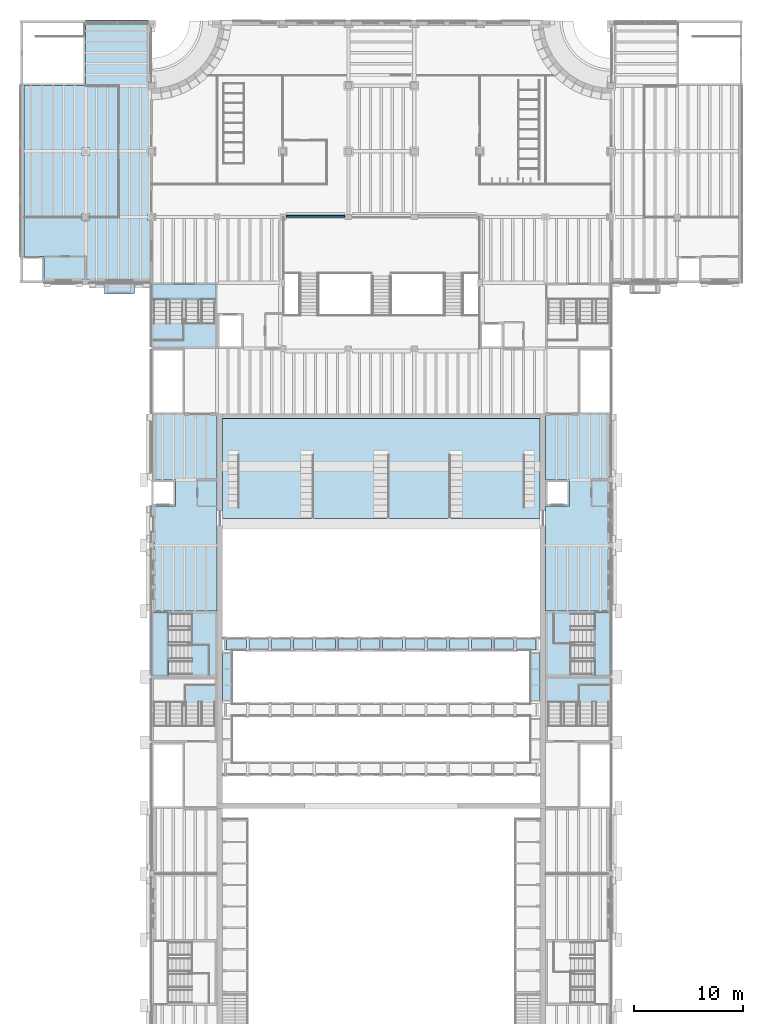
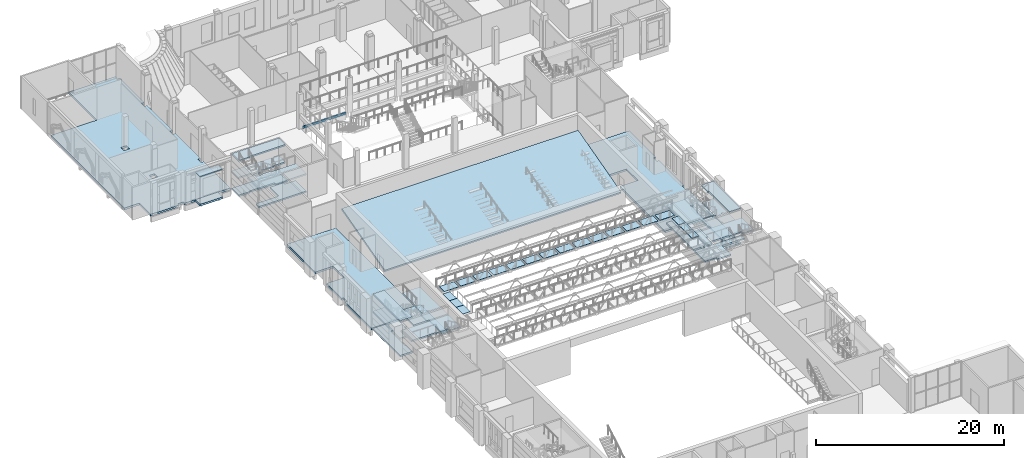
# One storey, part 20 of 70: 44 slabs, 1 plate, 5 elements without a shape of their own.
"""IFC4 building model written with IfcOpenShell, lengths in metres."""

from ifc_helpers import new_model, si_unit, direction, frame, origin, place, context, subcontext, project, spatial, polyline, outline, extrude, material, layer, layer_set, type_object, element, aggregate, save


model = new_model("IFC4")

# Units and contexts
model_context = context("Model", 3, precision=1e-05, world=origin(), true_north=direction((0.0, 1.0)))
body_context = subcontext(model_context, "Body", "Model", "MODEL_VIEW")
ifc_project = project(units=[si_unit("LENGTHUNIT", "METRE"), si_unit("AREAUNIT", "SQUARE_METRE"), si_unit("VOLUMEUNIT", "CUBIC_METRE"), si_unit("PLANEANGLEUNIT", "RADIAN"), si_unit("MASSUNIT", "GRAM", prefix="KILO")], contexts=[model_context])

# Site, building, storey
site_placement = place(None, origin())
site = spatial("IfcSite", under=ifc_project, at=site_placement, CompositionType="ELEMENT")
building_placement = place(site_placement, origin())
building = spatial("IfcBuilding", under=site, at=building_placement, Name="Saffron Lane Theatres", CompositionType="ELEMENT")
storey_placement = place(building_placement, frame((0.0, 0.0, 12.0)))
storey = spatial("IfcBuildingStorey", under=building, at=storey_placement, Name="L02", CompositionType="ELEMENT", Elevation=12.0)

# Plate
ifc_material_1 = material(Name="Zinc sheet", Category="metal")
ifc_layer_1 = layer(ifc_material_1, 0.1201171875)
ifc_layer_set_1 = layer_set([ifc_layer_1], Name="Zinc sheet")
plate_type = type_object("IfcPlateType", Name="EX-CUMBA ROOF PANEL 120", PredefinedType="SHEET", material=ifc_layer_set_1)
plate_placement = place(storey_placement, frame((0.0, 0.0, 3.5)))
element("IfcPlate", 1, at=plate_placement, inside=storey, type_object=plate_type, Name="Cumba bay 3 roof", PredefinedType="SHEET", context=body_context, shape_type="SweptSolid", body=[
    extrude(outline(polyline([(10.47509765625, 102.0), (7.675048828125, 102.0), (7.675048828125, 101.0), (10.47509765625, 101.0), (10.47509765625, 102.0)])), origin(), (0.0, 0.0, 1.0), 0.1201171875),
])

# Slabs
ifc_material_2 = material(Name="Concrete N40 (40 MPa)", Category="concrete")
ifc_layer_2 = layer(ifc_material_2, 0.25)
ifc_layer_set_2 = layer_set([ifc_layer_2], Name="Concrete N40 (40 MPa)")
slab_type_1 = type_object("IfcSlabType", Name="EX-CUMBA SLAB 250", PredefinedType="FLOOR", material=ifc_layer_set_2)
slab_1_placement = place(storey_placement, frame((0.0, 0.0, -0.25)))
element("IfcSlab", 2, at=slab_1_placement, inside=storey, type_object=slab_type_1, Name="Cumba bay 3 floor", PredefinedType="FLOOR", context=body_context, shape_type="SweptSolid", body=[
    extrude(outline(polyline([(10.47509765625, 102.0), (7.675048828125, 102.0), (7.675048828125, 101.0), (10.47509765625, 101.0), (10.47509765625, 102.0)])), origin(), (0.0, 0.0, 1.0), 0.25),
])
ifc_material_3 = material(Name="Concrete N40 (40 MPa)", Category="concrete")
ifc_layer_3 = layer(ifc_material_3, 0.25)
ifc_layer_set_3 = layer_set([ifc_layer_3], Name="Concrete N40 (40 MPa)")
slab_type_2 = type_object("IfcSlabType", Name="RC-SLAB FLOOR 250", PredefinedType="FLOOR", material=ifc_layer_set_3)
slab_2_placement = place(storey_placement, frame((0.0, 0.0, -0.25)))
element("IfcSlab", 3, at=slab_2_placement, inside=storey, type_object=slab_type_2, Name="slab-L02-AUD-3", PredefinedType="FLOOR", context=body_context, shape_type="SweptSolid", body=[
    extrude(outline(polyline([(18.0, 72.0), (18.0, 90.0), (15.0, 90.0), (12.0, 90.0), (12.0, 84.0), (14.199951171875, 84.0), (14.199951171875, 81.60009765625), (12.0, 81.60009765625), (12.0, 78.35205078125), (12.251953125, 78.35205078125), (12.251953125, 77.64794921875), (12.0, 77.64794921875), (12.0, 72.0), (18.0, 72.0)])), origin(), (0.0, 0.0, 1.0), 0.25),
])
slab_3_placement = place(storey_placement, frame((0.0, 0.0, -0.25)))
element("IfcSlab", 4, at=slab_3_placement, inside=storey, type_object=slab_type_2, Name="slab-L02-AUD-4", PredefinedType="FLOOR", context=body_context, shape_type="SweptSolid", body=[
    extrude(outline(polyline([(48.0, 72.0), (54.0, 72.0), (54.0, 77.64794921875), (53.748046875, 77.64794921875), (53.748046875, 78.35205078125), (54.0, 78.35205078125), (54.0, 83.64794921875), (53.748046875, 83.64794921875), (53.748046875, 84.35205078125), (54.0, 84.35205078125), (54.0, 90.0), (51.0, 90.0), (48.0, 90.0), (48.0, 84.0), (50.199951171875, 84.0), (50.199951171875, 81.60009765625), (48.0, 81.60009765625), (48.0, 72.0)])), origin(), (0.0, 0.0, 1.0), 0.25),
])
slab_4_placement = place(storey_placement, frame((0.0, 0.0, -0.25)))
element("IfcSlab", 5, at=slab_4_placement, inside=storey, type_object=slab_type_2, Name="slab-L02-BRICK-2", PredefinedType="FLOOR", context=body_context, shape_type="SweptSolid", body=[
    extrude(outline(polyline([(24.302001953125, 108.0), (29.64794921875, 108.0), (29.64794921875, 108.14990234375), (24.302001953125, 108.14990234375), (24.302001953125, 108.0)])), origin(), (0.0, 0.0, 1.0), 0.25),
])
slab_5_placement = place(storey_placement, frame((0.0, 0.0, -0.25)))
element("IfcSlab", 6, at=slab_5_placement, inside=storey, type_object=slab_type_2, Name="slab-L02-WING_W", PredefinedType="FLOOR", context=body_context, shape_type="SweptSolid", body=[
    extrude(outline(polyline([(6.35205078125, 102.0), (12.0, 102.0), (12.0, 107.673095703125), (11.673095703125, 107.673095703125), (11.673095703125, 108.326904296875), (12.0, 108.326904296875), (12.0, 113.673095703125), (11.673095703125, 113.673095703125), (11.673095703125, 114.326904296875), (12.0, 114.326904296875), (12.0, 119.142578125), (12.0, 119.673095703125), (11.673095703125, 119.673095703125), (11.673095703125, 120.326904296875), (12.0, 120.326904296875), (12.0, 125.49755859375), (11.748046875, 125.49755859375), (11.748046875, 125.99951171875), (6.0, 125.99951171875), (6.0, 120.0), (0.360107421875, 120.0), (0.360107421875, 104.39990234375), (2.199951171875, 104.39990234375), (2.199951171875, 102.0), (5.64794921875, 102.0), (5.64794921875, 102.251953125), (6.35205078125, 102.251953125), (6.35205078125, 102.0)]), holes=[polyline([(5.673095703125, 107.673095703125), (5.673095703125, 108.326904296875), (6.326904296875, 108.326904296875), (6.326904296875, 107.673095703125), (5.673095703125, 107.673095703125)]), polyline([(5.673095703125, 113.673095703125), (5.673095703125, 114.326904296875), (6.326904296875, 114.326904296875), (6.326904296875, 113.673095703125), (5.673095703125, 113.673095703125)])]), origin(), (0.0, 0.0, 1.0), 0.25),
])
ifc_material_4 = material(Name="Concrete N40 (40 MPa)", Category="concrete")
ifc_layer_4 = layer(ifc_material_4, 0.25)
ifc_layer_set_4 = layer_set([ifc_layer_4], Name="Concrete N40 (40 MPa)")
slab_type_3 = type_object("IfcSlabType", Name="RC-SLAB TIER 250", PredefinedType="NOTDEFINED", material=ifc_layer_set_4)
slab_6_placement = place(storey_placement, frame((18.5, 80.449951171875, 0.12158203125), z_axis=(0.0, -0.260657929311, 0.965431221728), x_axis=(1.0, 0.0, 0.0)))
element("IfcSlab", 7, at=slab_6_placement, inside=storey, type_object=slab_type_3, Name="Dress Circle Deck", ObjectType="SEATING TIER", PredefinedType="NOTDEFINED", context=body_context, shape_type="SweptSolid", body=[
    extrude(outline(polyline([(0.0, 0.0), (29.0, 0.0), (29.0, 9.477781822715658), (0.0, 9.477781822715658), (0.0, 0.0)])), origin(), (0.0, 0.0, -1.0), 0.25),
])
ifc_material_5 = material(Name="Steel Grade 350 grating", Category="steel")
ifc_layer_5 = layer(ifc_material_5, 0.0400390625)
ifc_layer_set_5 = layer_set([ifc_layer_5], Name="Steel Grade 350 grating")
slab_type_4 = type_object("IfcSlabType", Name="ST-BRIDGE DECK", PredefinedType="USERDEFINED", material=ifc_layer_set_5)
slab_7_placement = place(storey_placement, frame((0.0, 0.0, 4.4599609375)))
element("IfcSlab", 8, at=slab_7_placement, inside=storey, type_object=slab_type_4, Name="LW3-1", ObjectType="GALLERY", PredefinedType="USERDEFINED", context=body_context, shape_type="SweptSolid", body=[
    extrude(outline(polyline([(18.861572265625, 68.449951171875), (20.67431640625, 68.449951171875), (20.67431640625, 69.550048828125), (18.861572265625, 69.550048828125), (18.861572265625, 68.449951171875)])), origin(), (0.0, 0.0, 1.0), 0.0400390625),
])
slab_8_placement = place(storey_placement, frame((0.0, 0.0, 4.4599609375)))
element("IfcSlab", 9, at=slab_8_placement, inside=storey, type_object=slab_type_4, Name="LW3-2", ObjectType="GALLERY", PredefinedType="USERDEFINED", context=body_context, shape_type="SweptSolid", body=[
    extrude(outline(polyline([(20.897216796875, 68.449951171875), (22.7099609375, 68.449951171875), (22.7099609375, 69.550048828125), (20.897216796875, 69.550048828125), (20.897216796875, 68.449951171875)])), origin(), (0.0, 0.0, 1.0), 0.0400390625),
])
slab_9_placement = place(storey_placement, frame((0.0, 0.0, 4.4599609375)))
element("IfcSlab", 10, at=slab_9_placement, inside=storey, type_object=slab_type_4, Name="LW3-3", ObjectType="GALLERY", PredefinedType="USERDEFINED", context=body_context, shape_type="SweptSolid", body=[
    extrude(outline(polyline([(22.932861328125, 68.449951171875), (24.74560546875, 68.449951171875), (24.74560546875, 69.550048828125), (22.932861328125, 69.550048828125), (22.932861328125, 68.449951171875)])), origin(), (0.0, 0.0, 1.0), 0.0400390625),
])
slab_10_placement = place(storey_placement, frame((0.0, 0.0, 4.4599609375)))
element("IfcSlab", 11, at=slab_10_placement, inside=storey, type_object=slab_type_4, Name="LW3-4", ObjectType="GALLERY", PredefinedType="USERDEFINED", context=body_context, shape_type="SweptSolid", body=[
    extrude(outline(polyline([(24.96875, 68.449951171875), (26.78125, 68.449951171875), (26.78125, 69.550048828125), (24.96875, 69.550048828125), (24.96875, 68.449951171875)])), origin(), (0.0, 0.0, 1.0), 0.0400390625),
])
slab_11_placement = place(storey_placement, frame((0.0, 0.0, 4.4599609375)))
element("IfcSlab", 12, at=slab_11_placement, inside=storey, type_object=slab_type_4, Name="LW3-5", ObjectType="GALLERY", PredefinedType="USERDEFINED", context=body_context, shape_type="SweptSolid", body=[
    extrude(outline(polyline([(27.00439453125, 68.449951171875), (28.817138671875, 68.449951171875), (28.817138671875, 69.550048828125), (27.00439453125, 69.550048828125), (27.00439453125, 68.449951171875)])), origin(), (0.0, 0.0, 1.0), 0.0400390625),
])
slab_12_placement = place(storey_placement, frame((0.0, 0.0, 4.4599609375)))
element("IfcSlab", 13, at=slab_12_placement, inside=storey, type_object=slab_type_4, Name="LW3-6", ObjectType="GALLERY", PredefinedType="USERDEFINED", context=body_context, shape_type="SweptSolid", body=[
    extrude(outline(polyline([(29.0400390625, 68.449951171875), (30.852783203125, 68.449951171875), (30.852783203125, 69.550048828125), (29.0400390625, 69.550048828125), (29.0400390625, 68.449951171875)])), origin(), (0.0, 0.0, 1.0), 0.0400390625),
])
slab_13_placement = place(storey_placement, frame((0.0, 0.0, 4.4599609375)))
element("IfcSlab", 14, at=slab_13_placement, inside=storey, type_object=slab_type_4, Name="LW3-7", ObjectType="GALLERY", PredefinedType="USERDEFINED", context=body_context, shape_type="SweptSolid", body=[
    extrude(outline(polyline([(31.07568359375, 68.449951171875), (32.888427734375, 68.449951171875), (32.888427734375, 69.550048828125), (31.07568359375, 69.550048828125), (31.07568359375, 68.449951171875)])), origin(), (0.0, 0.0, 1.0), 0.0400390625),
])
slab_14_placement = place(storey_placement, frame((0.0, 0.0, 4.4599609375)))
element("IfcSlab", 15, at=slab_14_placement, inside=storey, type_object=slab_type_4, Name="LW3-8", ObjectType="GALLERY", PredefinedType="USERDEFINED", context=body_context, shape_type="SweptSolid", body=[
    extrude(outline(polyline([(33.111572265625, 68.449951171875), (34.92431640625, 68.449951171875), (34.92431640625, 69.550048828125), (33.111572265625, 69.550048828125), (33.111572265625, 68.449951171875)])), origin(), (0.0, 0.0, 1.0), 0.0400390625),
])
slab_15_placement = place(storey_placement, frame((0.0, 0.0, 4.4599609375)))
element("IfcSlab", 16, at=slab_15_placement, inside=storey, type_object=slab_type_4, Name="LW3-9", ObjectType="GALLERY", PredefinedType="USERDEFINED", context=body_context, shape_type="SweptSolid", body=[
    extrude(outline(polyline([(35.147216796875, 68.449951171875), (36.9599609375, 68.449951171875), (36.9599609375, 69.550048828125), (35.147216796875, 69.550048828125), (35.147216796875, 68.449951171875)])), origin(), (0.0, 0.0, 1.0), 0.0400390625),
])
slab_16_placement = place(storey_placement, frame((0.0, 0.0, 4.4599609375)))
element("IfcSlab", 17, at=slab_16_placement, inside=storey, type_object=slab_type_4, Name="LW3-10", ObjectType="GALLERY", PredefinedType="USERDEFINED", context=body_context, shape_type="SweptSolid", body=[
    extrude(outline(polyline([(37.182861328125, 68.449951171875), (38.99560546875, 68.449951171875), (38.99560546875, 69.550048828125), (37.182861328125, 69.550048828125), (37.182861328125, 68.449951171875)])), origin(), (0.0, 0.0, 1.0), 0.0400390625),
])
slab_17_placement = place(storey_placement, frame((0.0, 0.0, 4.4599609375)))
element("IfcSlab", 18, at=slab_17_placement, inside=storey, type_object=slab_type_4, Name="LW3-11", ObjectType="GALLERY", PredefinedType="USERDEFINED", context=body_context, shape_type="SweptSolid", body=[
    extrude(outline(polyline([(39.21875, 68.449951171875), (41.03125, 68.449951171875), (41.03125, 69.550048828125), (39.21875, 69.550048828125), (39.21875, 68.449951171875)])), origin(), (0.0, 0.0, 1.0), 0.0400390625),
])
slab_18_placement = place(storey_placement, frame((0.0, 0.0, 4.4599609375)))
element("IfcSlab", 19, at=slab_18_placement, inside=storey, type_object=slab_type_4, Name="LW3-12", ObjectType="GALLERY", PredefinedType="USERDEFINED", context=body_context, shape_type="SweptSolid", body=[
    extrude(outline(polyline([(41.25439453125, 68.449951171875), (43.067138671875, 68.449951171875), (43.067138671875, 69.550048828125), (41.25439453125, 69.550048828125), (41.25439453125, 68.449951171875)])), origin(), (0.0, 0.0, 1.0), 0.0400390625),
])
slab_19_placement = place(storey_placement, frame((0.0, 0.0, 4.4599609375)))
element("IfcSlab", 20, at=slab_19_placement, inside=storey, type_object=slab_type_4, Name="LW3-13", ObjectType="GALLERY", PredefinedType="USERDEFINED", context=body_context, shape_type="SweptSolid", body=[
    extrude(outline(polyline([(43.2900390625, 68.449951171875), (45.102783203125, 68.449951171875), (45.102783203125, 69.550048828125), (43.2900390625, 69.550048828125), (43.2900390625, 68.449951171875)])), origin(), (0.0, 0.0, 1.0), 0.0400390625),
])
slab_20_placement = place(storey_placement, frame((0.0, 0.0, 4.4599609375)))
element("IfcSlab", 21, at=slab_20_placement, inside=storey, type_object=slab_type_4, Name="LW3-14", ObjectType="GALLERY", PredefinedType="USERDEFINED", context=body_context, shape_type="SweptSolid", body=[
    extrude(outline(polyline([(45.32568359375, 68.449951171875), (47.138427734375, 68.449951171875), (47.138427734375, 69.550048828125), (45.32568359375, 69.550048828125), (45.32568359375, 68.449951171875)])), origin(), (0.0, 0.0, 1.0), 0.0400390625),
])
slab_21_placement = place(storey_placement, frame((0.0, 0.0, 4.4599609375)))
element("IfcSlab", 22, at=slab_21_placement, inside=storey, type_object=slab_type_4, Name="CDW2-2", ObjectType="GALLERY", PredefinedType="USERDEFINED", context=body_context, shape_type="SweptSolid", body=[
    extrude(outline(polyline([(18.5, 63.85009765625), (19.39990234375, 63.85009765625), (19.39990234375, 65.283447265625), (18.5, 65.283447265625), (18.5, 63.85009765625)])), origin(), (0.0, 0.0, 1.0), 0.0400390625),
])
slab_22_placement = place(storey_placement, frame((0.0, 0.0, 4.4599609375)))
element("IfcSlab", 23, at=slab_22_placement, inside=storey, type_object=slab_type_4, Name="CDW2-3", ObjectType="GALLERY", PredefinedType="USERDEFINED", context=body_context, shape_type="SweptSolid", body=[
    extrude(outline(polyline([(18.5, 65.283447265625), (19.39990234375, 65.283447265625), (19.39990234375, 66.716552734375), (18.5, 66.716552734375), (18.5, 65.283447265625)])), origin(), (0.0, 0.0, 1.0), 0.0400390625),
])
slab_23_placement = place(storey_placement, frame((0.0, 0.0, 4.4599609375)))
element("IfcSlab", 24, at=slab_23_placement, inside=storey, type_object=slab_type_4, Name="CDW2-4", ObjectType="GALLERY", PredefinedType="USERDEFINED", context=body_context, shape_type="SweptSolid", body=[
    extrude(outline(polyline([(18.5, 66.716552734375), (19.39990234375, 66.716552734375), (19.39990234375, 68.14990234375), (18.5, 68.14990234375), (18.5, 66.716552734375)])), origin(), (0.0, 0.0, 1.0), 0.0400390625),
])
slab_24_placement = place(storey_placement, frame((0.0, 0.0, 4.4599609375)))
element("IfcSlab", 25, at=slab_24_placement, inside=storey, type_object=slab_type_4, Name="CDE2-2", ObjectType="GALLERY", PredefinedType="USERDEFINED", context=body_context, shape_type="SweptSolid", body=[
    extrude(outline(polyline([(46.60009765625, 63.85009765625), (47.5, 63.85009765625), (47.5, 65.283447265625), (46.60009765625, 65.283447265625), (46.60009765625, 63.85009765625)])), origin(), (0.0, 0.0, 1.0), 0.0400390625),
])
slab_25_placement = place(storey_placement, frame((0.0, 0.0, 4.4599609375)))
element("IfcSlab", 26, at=slab_25_placement, inside=storey, type_object=slab_type_4, Name="CDE2-3", ObjectType="GALLERY", PredefinedType="USERDEFINED", context=body_context, shape_type="SweptSolid", body=[
    extrude(outline(polyline([(46.60009765625, 65.283447265625), (47.5, 65.283447265625), (47.5, 66.716552734375), (46.60009765625, 66.716552734375), (46.60009765625, 65.283447265625)])), origin(), (0.0, 0.0, 1.0), 0.0400390625),
])
slab_26_placement = place(storey_placement, frame((0.0, 0.0, 4.4599609375)))
element("IfcSlab", 27, at=slab_26_placement, inside=storey, type_object=slab_type_4, Name="CDE2-4", ObjectType="GALLERY", PredefinedType="USERDEFINED", context=body_context, shape_type="SweptSolid", body=[
    extrude(outline(polyline([(46.60009765625, 66.716552734375), (47.5, 66.716552734375), (47.5, 68.14990234375), (46.60009765625, 68.14990234375), (46.60009765625, 66.716552734375)])), origin(), (0.0, 0.0, 1.0), 0.0400390625),
])

# Stair, slabs
ifc_material_6 = material(Name="Concrete N40 (40 MPa)", Category="concrete")
stair_type = type_object("IfcStairType", Name="VC-STAIR EXIT", PredefinedType="TWO_STRAIGHT_RUN_STAIR", material=ifc_material_6)
stair_1_placement = place(storey_placement, origin())
stair_1 = element("IfcStair", 28, at=stair_1_placement, inside=storey, type_object=stair_type, Name="Brick Block West Stair L02 to L03", PredefinedType="TWO_STRAIGHT_RUN_STAIR")
ifc_material_7 = material(Name="Concrete N40 (40 MPa)", Category="concrete")
ifc_layer_6 = layer(ifc_material_7, 0.199951171875)
ifc_layer_set_6 = layer_set([ifc_layer_6], Name="Concrete N40 (40 MPa)")
slab_type_5 = type_object("IfcSlabType", Name="VC-LANDING 200", PredefinedType="LANDING", material=ifc_layer_set_6)
slab_27_placement = place(storey_placement, frame((0.0, 0.0, -0.199951171875)))
slab_27 = element("IfcSlab", 29, at=slab_27_placement, type_object=slab_type_5, Name="ST3 landing 1", PredefinedType="LANDING", context=body_context, shape_type="SweptSolid", body=[
    extrude(outline(polyline([(12.10009765625, 100.5), (12.10009765625, 101.89990234375), (17.89990234375, 101.89990234375), (17.89990234375, 100.14990234375), (16.550048828125, 100.14990234375), (16.550048828125, 100.5), (13.449951171875, 100.5), (13.449951171875, 100.39990234375), (12.10009765625, 100.39990234375), (12.10009765625, 100.5), (12.10009765625, 100.5)])), origin(), (0.0, 0.0, 1.0), 0.199951171875),
])
slab_28_placement = place(storey_placement, frame((0.0, 0.0, 0.925048828125)))
slab_28 = element("IfcSlab", 30, at=slab_28_placement, type_object=slab_type_5, Name="ST3 landing 2", PredefinedType="LANDING", context=body_context, shape_type="SweptSolid", body=[
    extrude(outline(polyline([(14.89990234375, 98.6298828125), (16.550048828125, 98.6298828125), (16.550048828125, 98.3798828125), (17.89990234375, 98.3798828125), (17.89990234375, 96.10009765625), (12.10009765625, 96.10009765625), (12.10009765625, 96.75), (14.89990234375, 96.75), (14.89990234375, 98.6298828125)])), origin(), (0.0, 0.0, 1.0), 0.199951171875),
])
slab_29_placement = place(storey_placement, frame((0.0, 0.0, 2.050048828125)))
slab_29 = element("IfcSlab", 31, at=slab_29_placement, type_object=slab_type_5, Name="ST3 landing 3", PredefinedType="LANDING", context=body_context, shape_type="SweptSolid", body=[
    extrude(outline(polyline([(12.10009765625, 100.5), (12.10009765625, 101.89990234375), (17.89990234375, 101.89990234375), (17.89990234375, 100.5), (16.35009765625, 100.5), (16.35009765625, 100.39990234375), (15.10009765625, 100.39990234375), (15.10009765625, 100.5), (14.89990234375, 100.5), (14.89990234375, 100.14990234375), (13.64990234375, 100.14990234375), (13.64990234375, 100.5), (12.10009765625, 100.5)])), origin(), (0.0, 0.0, 1.0), 0.199951171875),
])
slab_30_placement = place(storey_placement, frame((0.0, 0.0, 3.175048828125)))
slab_30 = element("IfcSlab", 32, at=slab_30_placement, type_object=slab_type_5, Name="ST3 landing 4", PredefinedType="LANDING", context=body_context, shape_type="SweptSolid", body=[
    extrude(outline(polyline([(13.449951171875, 98.280029296875), (13.64990234375, 98.280029296875), (13.64990234375, 98.3798828125), (14.89990234375, 98.3798828125), (14.89990234375, 98.280029296875), (17.89990234375, 98.280029296875), (17.89990234375, 96.10009765625), (12.10009765625, 96.10009765625), (12.10009765625, 98.6298828125), (13.449951171875, 98.6298828125), (13.449951171875, 98.280029296875)])), origin(), (0.0, 0.0, 1.0), 0.199951171875),
])
slab_31_placement = place(storey_placement, frame((0.0, 0.0, 4.300048828125)))
slab_31 = element("IfcSlab", 33, at=slab_31_placement, type_object=slab_type_5, Name="ST3 landing 5", PredefinedType="LANDING", context=body_context, shape_type="SweptSolid", body=[
    extrude(outline(polyline([(12.10009765625, 100.5), (12.10009765625, 101.89990234375), (17.89990234375, 101.89990234375), (17.89990234375, 100.5), (13.449951171875, 100.5), (13.449951171875, 100.39990234375), (12.10009765625, 100.39990234375), (12.10009765625, 100.5), (12.10009765625, 100.5)])), origin(), (0.0, 0.0, 1.0), 0.199951171875),
])
aggregate(stair_1, [slab_27, slab_28, slab_29, slab_30, slab_31])

stair_2_placement = place(storey_placement, origin())
stair_2 = element("IfcStair", 34, at=stair_2_placement, inside=storey, type_object=stair_type, Name="Auditorium West Rear Stair L02 to L03", PredefinedType="TWO_STRAIGHT_RUN_STAIR")
slab_32_placement = place(storey_placement, frame((0.0, 0.0, -0.199951171875)))
slab_32 = element("IfcSlab", 35, at=slab_32_placement, type_object=slab_type_5, Name="ST9 landing 1", PredefinedType="LANDING", context=body_context, shape_type="SweptSolid", body=[
    extrude(outline(polyline([(12.10009765625, 66.10009765625), (12.10009765625, 71.89990234375), (13.85009765625, 71.89990234375), (13.85009765625, 70.550048828125), (13.5, 70.550048828125), (13.5, 67.449951171875), (13.60009765625, 67.449951171875), (13.60009765625, 66.10009765625), (13.5, 66.10009765625), (13.5, 66.10009765625), (12.10009765625, 66.10009765625)])), origin(), (0.0, 0.0, 1.0), 0.199951171875),
])
slab_33_placement = place(storey_placement, frame((0.0, 0.0, 0.925048828125)))
slab_33 = element("IfcSlab", 36, at=slab_33_placement, type_object=slab_type_5, Name="ST9 landing 2", PredefinedType="LANDING", context=body_context, shape_type="SweptSolid", body=[
    extrude(outline(polyline([(15.3701171875, 68.89990234375), (15.3701171875, 70.550048828125), (15.6201171875, 70.550048828125), (15.6201171875, 71.89990234375), (17.89990234375, 71.89990234375), (17.89990234375, 66.10009765625), (17.25, 66.10009765625), (17.25, 68.89990234375), (15.3701171875, 68.89990234375)])), origin(), (0.0, 0.0, 1.0), 0.199951171875),
])
slab_34_placement = place(storey_placement, frame((0.0, 0.0, 2.050048828125)))
slab_34 = element("IfcSlab", 37, at=slab_34_placement, type_object=slab_type_5, Name="ST9 landing 3", PredefinedType="LANDING", context=body_context, shape_type="SweptSolid", body=[
    extrude(outline(polyline([(13.5, 66.10009765625), (12.10009765625, 66.10009765625), (12.10009765625, 71.89990234375), (13.5, 71.89990234375), (13.5, 70.35009765625), (13.60009765625, 70.35009765625), (13.60009765625, 69.10009765625), (13.5, 69.10009765625), (13.5, 68.89990234375), (13.85009765625, 68.89990234375), (13.85009765625, 67.64990234375), (13.5, 67.64990234375), (13.5, 66.10009765625)])), origin(), (0.0, 0.0, 1.0), 0.199951171875),
])
slab_35_placement = place(storey_placement, frame((0.0, 0.0, 3.175048828125)))
slab_35 = element("IfcSlab", 38, at=slab_35_placement, type_object=slab_type_5, Name="ST9 landing 4", PredefinedType="LANDING", context=body_context, shape_type="SweptSolid", body=[
    extrude(outline(polyline([(15.719970703125, 67.449951171875), (15.719970703125, 67.64990234375), (15.6201171875, 67.64990234375), (15.6201171875, 68.89990234375), (15.719970703125, 68.89990234375), (15.719970703125, 71.89990234375), (17.89990234375, 71.89990234375), (17.89990234375, 66.10009765625), (15.3701171875, 66.10009765625), (15.3701171875, 67.449951171875), (15.719970703125, 67.449951171875)])), origin(), (0.0, 0.0, 1.0), 0.199951171875),
])
slab_36_placement = place(storey_placement, frame((0.0, 0.0, 4.300048828125)))
slab_36 = element("IfcSlab", 39, at=slab_36_placement, type_object=slab_type_5, Name="ST9 landing 5", PredefinedType="LANDING", context=body_context, shape_type="SweptSolid", body=[
    extrude(outline(polyline([(12.10009765625, 66.10009765625), (12.10009765625, 71.89990234375), (13.5, 71.89990234375), (13.5, 67.449951171875), (13.60009765625, 67.449951171875), (13.60009765625, 66.10009765625), (13.5, 66.10009765625), (13.5, 66.10009765625), (12.10009765625, 66.10009765625)])), origin(), (0.0, 0.0, 1.0), 0.199951171875),
])
aggregate(stair_2, [slab_32, slab_33, slab_34, slab_35, slab_36])

stair_3_placement = place(storey_placement, origin())
stair_3 = element("IfcStair", 40, at=stair_3_placement, inside=storey, type_object=stair_type, Name="Auditorium East Rear Stair L02 to L03", PredefinedType="TWO_STRAIGHT_RUN_STAIR")
slab_37_placement = place(storey_placement, frame((0.0, 0.0, -0.199951171875)))
slab_37 = element("IfcSlab", 41, at=slab_37_placement, type_object=slab_type_5, Name="ST12 landing 1", PredefinedType="LANDING", context=body_context, shape_type="SweptSolid", body=[
    extrude(outline(polyline([(53.89990234375, 71.89990234375), (53.89990234375, 66.10009765625), (52.14990234375, 66.10009765625), (52.14990234375, 67.449951171875), (52.5, 67.449951171875), (52.5, 70.550048828125), (52.39990234375, 70.550048828125), (52.39990234375, 71.89990234375), (52.5, 71.89990234375), (52.5, 71.89990234375), (53.89990234375, 71.89990234375)])), origin(), (0.0, 0.0, 1.0), 0.199951171875),
])
slab_38_placement = place(storey_placement, frame((0.0, 0.0, 0.925048828125)))
slab_38 = element("IfcSlab", 42, at=slab_38_placement, type_object=slab_type_5, Name="ST12 landing 2", PredefinedType="LANDING", context=body_context, shape_type="SweptSolid", body=[
    extrude(outline(polyline([(50.6298828125, 69.10009765625), (50.6298828125, 67.449951171875), (50.3798828125, 67.449951171875), (50.3798828125, 66.10009765625), (48.10009765625, 66.10009765625), (48.10009765625, 71.89990234375), (48.75, 71.89990234375), (48.75, 69.10009765625), (50.6298828125, 69.10009765625)])), origin(), (0.0, 0.0, 1.0), 0.199951171875),
])
slab_39_placement = place(storey_placement, frame((0.0, 0.0, 2.050048828125)))
slab_39 = element("IfcSlab", 43, at=slab_39_placement, type_object=slab_type_5, Name="ST12 landing 3", PredefinedType="LANDING", context=body_context, shape_type="SweptSolid", body=[
    extrude(outline(polyline([(52.5, 71.89990234375), (53.89990234375, 71.89990234375), (53.89990234375, 66.10009765625), (52.5, 66.10009765625), (52.5, 67.64990234375), (52.39990234375, 67.64990234375), (52.39990234375, 68.89990234375), (52.5, 68.89990234375), (52.5, 69.10009765625), (52.14990234375, 69.10009765625), (52.14990234375, 70.35009765625), (52.5, 70.35009765625), (52.5, 71.89990234375)])), origin(), (0.0, 0.0, 1.0), 0.199951171875),
])
slab_40_placement = place(storey_placement, frame((0.0, 0.0, 3.175048828125)))
slab_40 = element("IfcSlab", 44, at=slab_40_placement, type_object=slab_type_5, Name="ST12 landing 4", PredefinedType="LANDING", context=body_context, shape_type="SweptSolid", body=[
    extrude(outline(polyline([(50.280029296875, 70.550048828125), (50.280029296875, 70.35009765625), (50.3798828125, 70.35009765625), (50.3798828125, 69.10009765625), (50.280029296875, 69.10009765625), (50.280029296875, 66.10009765625), (48.10009765625, 66.10009765625), (48.10009765625, 71.89990234375), (50.6298828125, 71.89990234375), (50.6298828125, 70.550048828125), (50.280029296875, 70.550048828125)])), origin(), (0.0, 0.0, 1.0), 0.199951171875),
])
slab_41_placement = place(storey_placement, frame((0.0, 0.0, 4.300048828125)))
slab_41 = element("IfcSlab", 45, at=slab_41_placement, type_object=slab_type_5, Name="ST12 landing 5", PredefinedType="LANDING", context=body_context, shape_type="SweptSolid", body=[
    extrude(outline(polyline([(53.89990234375, 71.89990234375), (53.89990234375, 66.10009765625), (52.5, 66.10009765625), (52.5, 70.550048828125), (52.39990234375, 70.550048828125), (52.39990234375, 71.89990234375), (52.5, 71.89990234375), (52.5, 71.89990234375), (53.89990234375, 71.89990234375)])), origin(), (0.0, 0.0, 1.0), 0.199951171875),
])
aggregate(stair_3, [slab_37, slab_38, slab_39, slab_40, slab_41])

# Stair, slab
stair_4_placement = place(storey_placement, origin())
stair_4 = element("IfcStair", 46, at=stair_4_placement, inside=storey, type_object=stair_type, Name="Auditorium West Front Stair L02 to L03", PredefinedType="TWO_STRAIGHT_RUN_STAIR")
slab_42_placement = place(storey_placement, frame((0.0, 0.0, 3.175048828125)))
slab_42 = element("IfcSlab", 47, at=slab_42_placement, type_object=slab_type_5, Name="ST15 landing 4", PredefinedType="LANDING", context=body_context, shape_type="SweptSolid", body=[
    extrude(outline(polyline([(16.550048828125, 63.719970703125), (16.35009765625, 63.719970703125), (16.35009765625, 63.6201171875), (15.10009765625, 63.6201171875), (15.10009765625, 63.719970703125), (12.10009765625, 63.719970703125), (12.10009765625, 65.89990234375), (17.89990234375, 65.89990234375), (17.89990234375, 63.3701171875), (16.550048828125, 63.3701171875), (16.550048828125, 63.719970703125)])), origin(), (0.0, 0.0, 1.0), 0.199951171875),
])
aggregate(stair_4, [slab_42])

# Stair, slabs
stair_5_placement = place(storey_placement, origin())
stair_5 = element("IfcStair", 48, at=stair_5_placement, inside=storey, type_object=stair_type, Name="Auditorium East Front Stair L02 to L03", PredefinedType="TWO_STRAIGHT_RUN_STAIR")
slab_43_placement = place(storey_placement, frame((0.0, 0.0, 0.925048828125)))
slab_43 = element("IfcSlab", 49, at=slab_43_placement, type_object=slab_type_5, Name="ST18 landing 2", PredefinedType="LANDING", context=body_context, shape_type="SweptSolid", body=[
    extrude(outline(polyline([(51.10009765625, 63.3701171875), (49.449951171875, 63.3701171875), (49.449951171875, 63.6201171875), (48.10009765625, 63.6201171875), (48.10009765625, 65.89990234375), (53.89990234375, 65.89990234375), (53.89990234375, 65.25), (51.10009765625, 65.25), (51.10009765625, 63.3701171875)])), origin(), (0.0, 0.0, 1.0), 0.199951171875),
])
slab_44_placement = place(storey_placement, frame((0.0, 0.0, 3.175048828125)))
slab_44 = element("IfcSlab", 50, at=slab_44_placement, type_object=slab_type_5, Name="ST18 landing 4", PredefinedType="LANDING", context=body_context, shape_type="SweptSolid", body=[
    extrude(outline(polyline([(52.550048828125, 63.719970703125), (52.35009765625, 63.719970703125), (52.35009765625, 63.6201171875), (51.10009765625, 63.6201171875), (51.10009765625, 63.719970703125), (48.10009765625, 63.719970703125), (48.10009765625, 65.89990234375), (53.89990234375, 65.89990234375), (53.89990234375, 63.3701171875), (52.550048828125, 63.3701171875), (52.550048828125, 63.719970703125)])), origin(), (0.0, 0.0, 1.0), 0.199951171875),
])
aggregate(stair_5, [slab_43, slab_44])

save(model, "model.ifc")
